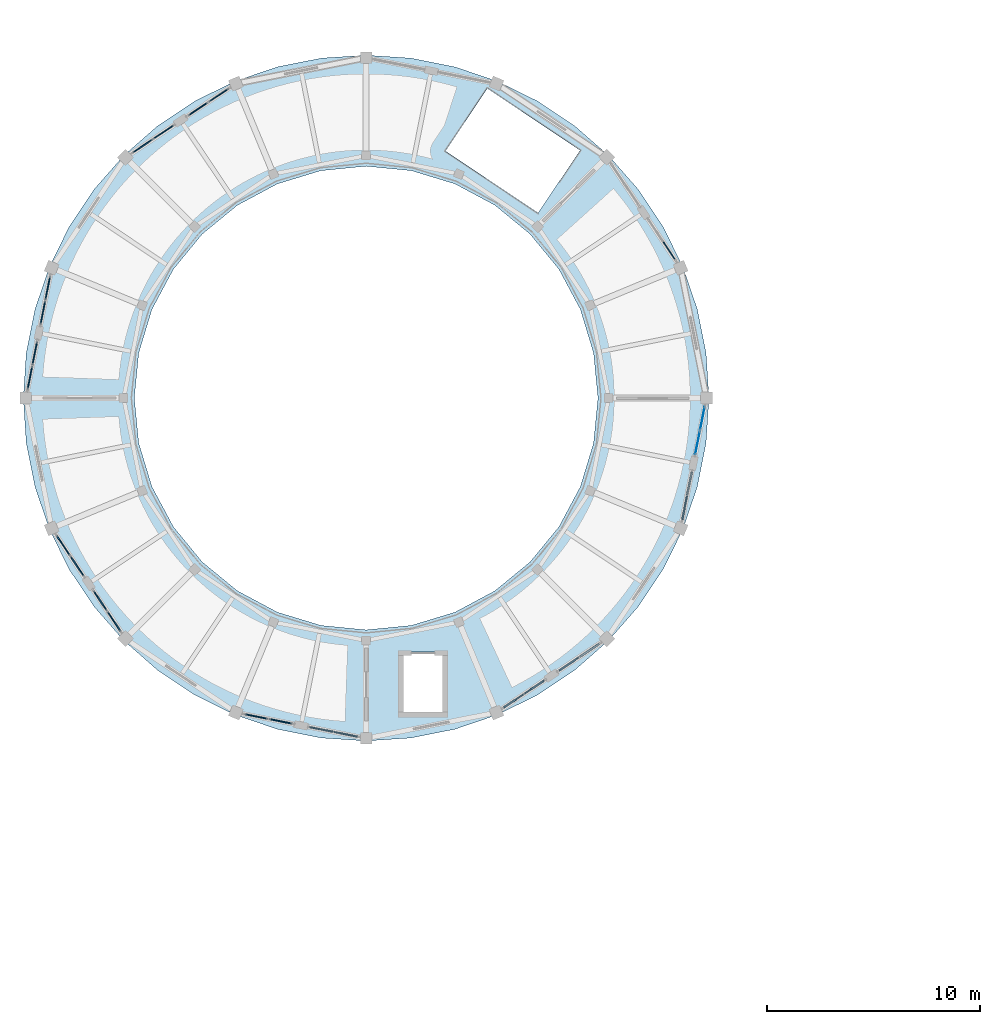
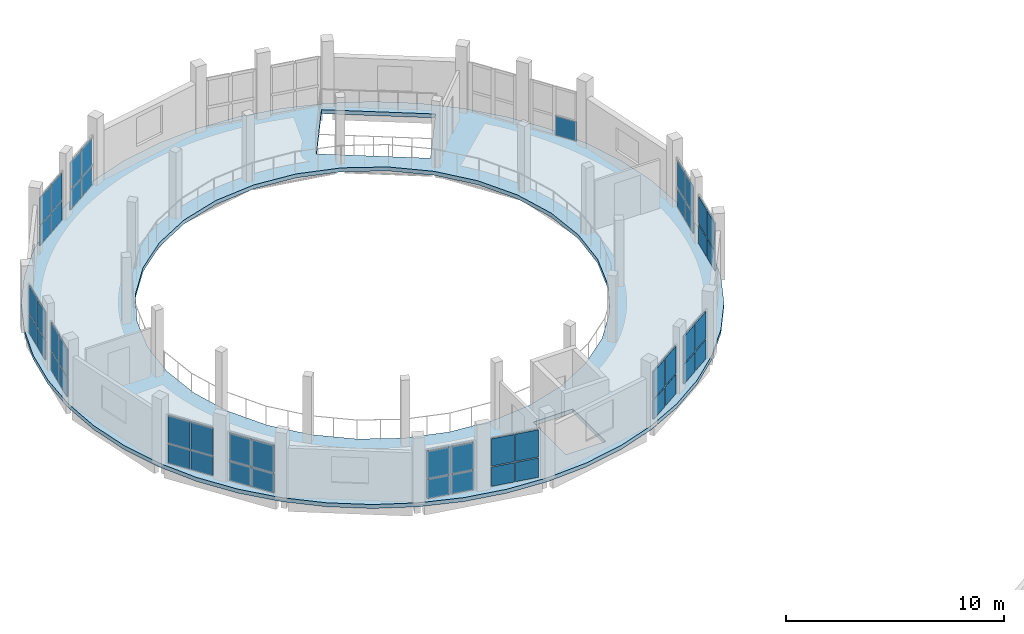
# One storey, part 50 of 77: 49 plates, 1 slab, 13 elements without a shape of their own.
"""IFC4 building model written with IfcOpenShell, lengths in metres."""

from ifc_helpers import new_model, si_unit, direction, frame, origin, origin_2d, place, context, subcontext, project, spatial, polyline, rectangle, outline, extrude, material, layer, layer_set, type_object, element, aggregate, save


model = new_model("IFC4")

# Units and contexts
model_context = context("Model", 3, precision=1e-05, world=origin(), true_north=direction((0.0, 1.0)))
body_context = subcontext(model_context, "Body", "Model", "MODEL_VIEW")
ifc_project = project(units=[si_unit("LENGTHUNIT", "METRE"), si_unit("AREAUNIT", "SQUARE_METRE"), si_unit("VOLUMEUNIT", "CUBIC_METRE"), si_unit("PLANEANGLEUNIT", "RADIAN"), si_unit("MASSUNIT", "GRAM", prefix="KILO")], contexts=[model_context])

# Site, building, storey
site_placement = place(None, origin())
site = spatial("IfcSite", under=ifc_project, at=site_placement, CompositionType="ELEMENT")
building_placement = place(site_placement, origin())
building = spatial("IfcBuilding", under=site, at=building_placement, Name="Caldaven Crescent School", CompositionType="ELEMENT")
storey_placement = place(building_placement, frame((0.0, 0.0, 4.419921875)))
storey = spatial("IfcBuildingStorey", under=building, at=storey_placement, Name="L01", CompositionType="ELEMENT", Elevation=4.419921875)

# Curtain wall, plates
ifc_material_1 = material(Name="Anodised aluminium AA 6063-T6 and low-E double glazing", Category="aluminium")
ifc_layer_1 = layer(ifc_material_1, 0.169921875)
ifc_layer_set_1 = layer_set([ifc_layer_1], Name="Anodised aluminium AA 6063-T6 and low-E double glazing")
curtain_wall_type_1 = type_object("IfcCurtainWallType", Name="CW-SYS1", PredefinedType="NOTDEFINED", material=ifc_layer_set_1)
curtain_wall_1_placement = place(storey_placement, origin())
curtain_wall_1 = element("IfcCurtainWall", 1, at=curtain_wall_1_placement, inside=storey, type_object=curtain_wall_type_1, Name="CW-L01-072", PredefinedType="NOTDEFINED")
ifc_material_2 = material(Name="Tempered low-E double glazing IGU", Category="glass")
ifc_layer_2 = layer(ifc_material_2, 0.02587890625)
ifc_layer_set_2 = layer_set([ifc_layer_2], Name="Tempered low-E double glazing IGU")
plate_type_1 = type_object("IfcPlateType", Name="PLT-CWP01", PredefinedType="CURTAIN_PANEL", material=ifc_layer_set_2)
plate_1_placement = place(storey_placement, frame((39.08154296875, 96.396484375, 0.070068359375), z_axis=(0.0, 0.0, 1.0), x_axis=(0.19509100343, 0.980785144861, 0.0)))
plate_1 = element("IfcPlate", 2, at=plate_1_placement, type_object=plate_type_1, Name="CW1 panel 1.1", PredefinedType="CURTAIN_PANEL", context=body_context, shape_type="SweptSolid", body=[
    extrude(rectangle(XDim=1.103271484375, YDim=0.02587890625, at=origin_2d()), origin(), (0.0, 0.0, 1.0), 1.06298828125),
])
plate_2_placement = place(storey_placement, frame((39.08154296875, 96.396484375, 1.203125), z_axis=(0.0, 0.0, 1.0), x_axis=(0.19509100343, 0.980785144861, 0.0)))
plate_2 = element("IfcPlate", 3, at=plate_2_placement, type_object=plate_type_1, Name="CW1 panel 1.2", PredefinedType="CURTAIN_PANEL", context=body_context, shape_type="SweptSolid", body=[
    extrude(rectangle(XDim=1.103271484375, YDim=0.02587890625, at=origin_2d()), origin(), (0.0, 0.0, 1.0), 1.507080078125),
])
plate_3_placement = place(storey_placement, frame((39.3095703125, 97.542236328125, 0.070068359375), z_axis=(0.0, 0.0, 1.0), x_axis=(0.19509100343, 0.980785144861, 0.0)))
plate_3 = element("IfcPlate", 4, at=plate_3_placement, type_object=plate_type_1, Name="CW1 panel 2.1", PredefinedType="CURTAIN_PANEL", context=body_context, shape_type="SweptSolid", body=[
    extrude(rectangle(XDim=1.103271484375, YDim=0.02587890625, at=origin_2d()), origin(), (0.0, 0.0, 1.0), 1.06298828125),
])
plate_4_placement = place(storey_placement, frame((39.3095703125, 97.542236328125, 1.203125), z_axis=(0.0, 0.0, 1.0), x_axis=(0.19509100343, 0.980785144861, 0.0)))
plate_4 = element("IfcPlate", 5, at=plate_4_placement, type_object=plate_type_1, Name="CW1 panel 2.2", PredefinedType="CURTAIN_PANEL", context=body_context, shape_type="SweptSolid", body=[
    extrude(rectangle(XDim=1.103271484375, YDim=0.02587890625, at=origin_2d()), origin(), (0.0, 0.0, 1.0), 1.507080078125),
])
aggregate(curtain_wall_1, [plate_1, plate_2, plate_3, plate_4])

# Curtain wall, plate
ifc_layer_3 = layer(ifc_material_1, 0.18994140625)
ifc_layer_set_3 = layer_set([ifc_layer_3], Name="Anodised aluminium AA 6063-T6 and low-E double glazing")
curtain_wall_type_2 = type_object("IfcCurtainWallType", Name="CW-SYS2", PredefinedType="NOTDEFINED", material=ifc_layer_set_3)
curtain_wall_2_placement = place(storey_placement, origin())
curtain_wall_2 = element("IfcCurtainWall", 6, at=curtain_wall_2_placement, inside=storey, type_object=curtain_wall_type_2, Name="CW-L01-057", PredefinedType="NOTDEFINED")
ifc_layer_4 = layer(ifc_material_2, 0.0439453125)
ifc_layer_set_4 = layer_set([ifc_layer_4], Name="Tempered low-E double glazing IGU")
plate_type_2 = type_object("IfcPlateType", Name="PLT-CWP10", PredefinedType="CURTAIN_PANEL", material=ifc_layer_set_4)
plate_5_placement = place(storey_placement, frame((37.739501953125, 105.43505859375, 0.06005859375), z_axis=(0.0, 0.0, 1.0), x_axis=(-0.555569561758, 0.831470060825, 0.0)))
plate_5 = element("IfcPlate", 7, at=plate_5_placement, type_object=plate_type_2, Name="CW2 panel 1.1", PredefinedType="CURTAIN_PANEL", context=body_context, shape_type="SweptSolid", body=[
    extrude(rectangle(XDim=1.103271484375, YDim=0.0439453125, at=origin_2d()), origin(), (0.0, 0.0, 1.0), 1.077880859375),
])
aggregate(curtain_wall_2, [plate_5])

# Curtain wall, plates
curtain_wall_3_placement = place(storey_placement, origin())
curtain_wall_3 = element("IfcCurtainWall", 8, at=curtain_wall_3_placement, inside=storey, type_object=curtain_wall_type_2, Name="CW-L01-061", PredefinedType="NOTDEFINED")
ifc_layer_5 = layer(ifc_material_2, 0.052001953125)
ifc_layer_set_5 = layer_set([ifc_layer_5], Name="Tempered low-E double glazing IGU")
plate_type_3 = type_object("IfcPlateType", Name="PLT-CWP14", PredefinedType="CURTAIN_PANEL", material=ifc_layer_set_5)
plate_6_placement = place(storey_placement, frame((16.56396484375, 112.73876953125, 0.070068359375), z_axis=(0.0, 0.0, 1.0), x_axis=(-0.831470060825, -0.555569561758, 0.0)))
plate_6 = element("IfcPlate", 9, at=plate_6_placement, type_object=plate_type_3, Name="CW2 panel 1.1", PredefinedType="CURTAIN_PANEL", context=body_context, shape_type="SweptSolid", body=[
    extrude(rectangle(XDim=1.095703125, YDim=0.052001953125, at=origin_2d()), origin(), (0.0, 0.0, 1.0), 1.06298828125),
])
plate_7_placement = place(storey_placement, frame((16.56396484375, 112.73876953125, 1.203125), z_axis=(0.0, 0.0, 1.0), x_axis=(-0.831470060825, -0.555569561758, 0.0)))
plate_7 = element("IfcPlate", 10, at=plate_7_placement, type_object=plate_type_3, Name="CW2 panel 1.2", PredefinedType="CURTAIN_PANEL", context=body_context, shape_type="SweptSolid", body=[
    extrude(rectangle(XDim=1.095703125, YDim=0.052001953125, at=origin_2d()), origin(), (0.0, 0.0, 1.0), 1.507080078125),
])
plate_8_placement = place(storey_placement, frame((15.5947265625, 112.091064453125, 0.070068359375), z_axis=(0.0, 0.0, 1.0), x_axis=(-0.831470060825, -0.555569561758, 0.0)))
plate_8 = element("IfcPlate", 11, at=plate_8_placement, type_object=plate_type_3, Name="CW2 panel 2.1", PredefinedType="CURTAIN_PANEL", context=body_context, shape_type="SweptSolid", body=[
    extrude(rectangle(XDim=1.095703125, YDim=0.052001953125, at=origin_2d()), origin(), (0.0, 0.0, 1.0), 1.06298828125),
])
plate_9_placement = place(storey_placement, frame((15.5947265625, 112.091064453125, 1.203125), z_axis=(0.0, 0.0, 1.0), x_axis=(-0.831470060825, -0.555569561758, 0.0)))
plate_9 = element("IfcPlate", 12, at=plate_9_placement, type_object=plate_type_3, Name="CW2 panel 2.2", PredefinedType="CURTAIN_PANEL", context=body_context, shape_type="SweptSolid", body=[
    extrude(rectangle(XDim=1.095703125, YDim=0.052001953125, at=origin_2d()), origin(), (0.0, 0.0, 1.0), 1.507080078125),
])
aggregate(curtain_wall_3, [plate_6, plate_7, plate_8, plate_9])

ifc_layer_6 = layer(ifc_material_1, 0.2099609375)
ifc_layer_set_6 = layer_set([ifc_layer_6], Name="Anodised aluminium AA 6063-T6 and low-E double glazing")
curtain_wall_type_3 = type_object("IfcCurtainWallType", Name="CW-SYS3", PredefinedType="NOTDEFINED", material=ifc_layer_set_6)
curtain_wall_4_placement = place(storey_placement, origin())
curtain_wall_4 = element("IfcCurtainWall", 13, at=curtain_wall_4_placement, inside=storey, type_object=curtain_wall_type_3, Name="CW-L01-062", PredefinedType="NOTDEFINED")
ifc_layer_7 = layer(ifc_material_2, 0.053955078125)
ifc_layer_set_7 = layer_set([ifc_layer_7], Name="Tempered low-E double glazing IGU")
plate_type_4 = type_object("IfcPlateType", Name="PLT-CWP15", PredefinedType="CURTAIN_PANEL", material=ifc_layer_set_7)
plate_10_placement = place(storey_placement, frame((13.970703125, 111.006103515625, 0.06005859375), z_axis=(0.0, 0.0, 1.0), x_axis=(-0.831468137234, -0.555572440609, 0.0)))
plate_10 = element("IfcPlate", 14, at=plate_10_placement, type_object=plate_type_4, Name="CW3 panel 1.1", PredefinedType="CURTAIN_PANEL", context=body_context, shape_type="SweptSolid", body=[
    extrude(rectangle(XDim=1.11083984375, YDim=0.053955078125, at=origin_2d()), origin(), (0.0, 0.0, 1.0), 1.077880859375),
])
plate_11_placement = place(storey_placement, frame((13.970703125, 111.006103515625, 1.197998046875), z_axis=(0.0, 0.0, 1.0), x_axis=(-0.831468137234, -0.555572440609, 0.0)))
plate_11 = element("IfcPlate", 15, at=plate_11_placement, type_object=plate_type_4, Name="CW3 panel 1.2", PredefinedType="CURTAIN_PANEL", context=body_context, shape_type="SweptSolid", body=[
    extrude(rectangle(XDim=1.11083984375, YDim=0.053955078125, at=origin_2d()), origin(), (0.0, 0.0, 1.0), 1.52197265625),
])
plate_12_placement = place(storey_placement, frame((12.997314453125, 110.35546875, 0.06005859375), z_axis=(0.0, 0.0, 1.0), x_axis=(-0.831468137234, -0.555572440609, 0.0)))
plate_12 = element("IfcPlate", 16, at=plate_12_placement, type_object=plate_type_4, Name="CW3 panel 2.1", PredefinedType="CURTAIN_PANEL", context=body_context, shape_type="SweptSolid", body=[
    extrude(rectangle(XDim=1.11083984375, YDim=0.053955078125, at=origin_2d()), origin(), (0.0, 0.0, 1.0), 1.077880859375),
])
plate_13_placement = place(storey_placement, frame((12.997314453125, 110.35546875, 1.197998046875), z_axis=(0.0, 0.0, 1.0), x_axis=(-0.831468137234, -0.555572440609, 0.0)))
plate_13 = element("IfcPlate", 17, at=plate_13_placement, type_object=plate_type_4, Name="CW3 panel 2.2", PredefinedType="CURTAIN_PANEL", context=body_context, shape_type="SweptSolid", body=[
    extrude(rectangle(XDim=1.11083984375, YDim=0.053955078125, at=origin_2d()), origin(), (0.0, 0.0, 1.0), 1.52197265625),
])
aggregate(curtain_wall_4, [plate_10, plate_11, plate_12, plate_13])

ifc_layer_8 = layer(ifc_material_1, 0.22998046875)
ifc_layer_set_8 = layer_set([ifc_layer_8], Name="Anodised aluminium AA 6063-T6 and low-E double glazing")
curtain_wall_type_4 = type_object("IfcCurtainWallType", Name="CW-SYS4", PredefinedType="NOTDEFINED", material=ifc_layer_set_8)
curtain_wall_5_placement = place(storey_placement, origin())
curtain_wall_5 = element("IfcCurtainWall", 18, at=curtain_wall_5_placement, inside=storey, type_object=curtain_wall_type_4, Name="CW-L01-063", PredefinedType="NOTDEFINED")
ifc_layer_9 = layer(ifc_material_2, 0.055908203125)
ifc_layer_set_9 = layer_set([ifc_layer_9], Name="Tempered low-E double glazing IGU")
plate_type_5 = type_object("IfcPlateType", Name="PLT-CWP16", PredefinedType="CURTAIN_PANEL", material=ifc_layer_set_9)
plate_14_placement = place(storey_placement, frame((8.52734375, 103.6650390625, 0.06005859375), z_axis=(0.0, 0.0, 1.0), x_axis=(-0.195086997747, -0.980785941636, 0.0)))
plate_14 = element("IfcPlate", 19, at=plate_14_placement, type_object=plate_type_5, Name="CW4 panel 1.1", PredefinedType="CURTAIN_PANEL", context=body_context, shape_type="SweptSolid", body=[
    extrude(rectangle(XDim=1.103271484375, YDim=0.055908203125, at=origin_2d()), origin(), (0.0, 0.0, 1.0), 1.077880859375),
])
plate_15_placement = place(storey_placement, frame((8.52734375, 103.6650390625, 1.197998046875), z_axis=(0.0, 0.0, 1.0), x_axis=(-0.195086997747, -0.980785941636, 0.0)))
plate_15 = element("IfcPlate", 20, at=plate_15_placement, type_object=plate_type_5, Name="CW4 panel 1.2", PredefinedType="CURTAIN_PANEL", context=body_context, shape_type="SweptSolid", body=[
    extrude(rectangle(XDim=1.103271484375, YDim=0.055908203125, at=origin_2d()), origin(), (0.0, 0.0, 1.0), 1.52197265625),
])
plate_16_placement = place(storey_placement, frame((8.299560546875, 102.519287109375, 0.06005859375), z_axis=(0.0, 0.0, 1.0), x_axis=(-0.195086997747, -0.980785941636, 0.0)))
plate_16 = element("IfcPlate", 21, at=plate_16_placement, type_object=plate_type_5, Name="CW4 panel 2.1", PredefinedType="CURTAIN_PANEL", context=body_context, shape_type="SweptSolid", body=[
    extrude(rectangle(XDim=1.103271484375, YDim=0.055908203125, at=origin_2d()), origin(), (0.0, 0.0, 1.0), 1.077880859375),
])
plate_17_placement = place(storey_placement, frame((8.299560546875, 102.519287109375, 1.197998046875), z_axis=(0.0, 0.0, 1.0), x_axis=(-0.195086997747, -0.980785941636, 0.0)))
plate_17 = element("IfcPlate", 22, at=plate_17_placement, type_object=plate_type_5, Name="CW4 panel 2.2", PredefinedType="CURTAIN_PANEL", context=body_context, shape_type="SweptSolid", body=[
    extrude(rectangle(XDim=1.103271484375, YDim=0.055908203125, at=origin_2d()), origin(), (0.0, 0.0, 1.0), 1.52197265625),
])
aggregate(curtain_wall_5, [plate_14, plate_15, plate_16, plate_17])

curtain_wall_6_placement = place(storey_placement, origin())
curtain_wall_6 = element("IfcCurtainWall", 23, at=curtain_wall_6_placement, inside=storey, type_object=curtain_wall_type_1, Name="CW-L01-064", PredefinedType="NOTDEFINED")
ifc_layer_10 = layer(ifc_material_2, 0.05810546875)
ifc_layer_set_10 = layer_set([ifc_layer_10], Name="Tempered low-E double glazing IGU")
plate_type_6 = type_object("IfcPlateType", Name="PLT-CWP17", PredefinedType="CURTAIN_PANEL", material=ifc_layer_set_10)
plate_18_placement = place(storey_placement, frame((7.918212890625, 100.602294921875, 0.06494140625), z_axis=(0.0, 0.0, 1.0), x_axis=(-0.19509100343, -0.980785144861, 0.0)))
plate_18 = element("IfcPlate", 24, at=plate_18_placement, type_object=plate_type_6, Name="CW1 panel 1.1", PredefinedType="CURTAIN_PANEL", context=body_context, shape_type="SweptSolid", body=[
    extrude(rectangle(XDim=1.095703125, YDim=0.05810546875, at=origin_2d()), origin(), (0.0, 0.0, 1.0), 1.070556640625),
])
plate_19_placement = place(storey_placement, frame((7.918212890625, 100.602294921875, 1.20068359375), z_axis=(0.0, 0.0, 1.0), x_axis=(-0.19509100343, -0.980785144861, 0.0)))
plate_19 = element("IfcPlate", 25, at=plate_19_placement, type_object=plate_type_6, Name="CW1 panel 1.2", PredefinedType="CURTAIN_PANEL", context=body_context, shape_type="SweptSolid", body=[
    extrude(rectangle(XDim=1.095703125, YDim=0.05810546875, at=origin_2d()), origin(), (0.0, 0.0, 1.0), 1.514404296875),
])
plate_20_placement = place(storey_placement, frame((7.690673828125, 99.458984375, 0.06494140625), z_axis=(0.0, 0.0, 1.0), x_axis=(-0.19509100343, -0.980785144861, 0.0)))
plate_20 = element("IfcPlate", 26, at=plate_20_placement, type_object=plate_type_6, Name="CW1 panel 2.1", PredefinedType="CURTAIN_PANEL", context=body_context, shape_type="SweptSolid", body=[
    extrude(rectangle(XDim=1.095703125, YDim=0.05810546875, at=origin_2d()), origin(), (0.0, 0.0, 1.0), 1.070556640625),
])
plate_21_placement = place(storey_placement, frame((7.690673828125, 99.458984375, 1.20068359375), z_axis=(0.0, 0.0, 1.0), x_axis=(-0.19509100343, -0.980785144861, 0.0)))
plate_21 = element("IfcPlate", 27, at=plate_21_placement, type_object=plate_type_6, Name="CW1 panel 2.2", PredefinedType="CURTAIN_PANEL", context=body_context, shape_type="SweptSolid", body=[
    extrude(rectangle(XDim=1.095703125, YDim=0.05810546875, at=origin_2d()), origin(), (0.0, 0.0, 1.0), 1.514404296875),
])
aggregate(curtain_wall_6, [plate_18, plate_19, plate_20, plate_21])

curtain_wall_7_placement = place(storey_placement, origin())
curtain_wall_7 = element("IfcCurtainWall", 28, at=curtain_wall_7_placement, inside=storey, type_object=curtain_wall_type_2, Name="CW-L01-065", PredefinedType="NOTDEFINED")
ifc_layer_11 = layer(ifc_material_2, 0.06005859375)
ifc_layer_set_11 = layer_set([ifc_layer_11], Name="Tempered low-E double glazing IGU")
plate_type_7 = type_object("IfcPlateType", Name="PLT-CWP18", PredefinedType="CURTAIN_PANEL", material=ifc_layer_set_11)
plate_22_placement = place(storey_placement, frame((9.259765625, 91.566162109375, 0.06494140625), z_axis=(0.0, 0.0, 1.0), x_axis=(0.555569561758, -0.831470060825, 0.0)))
plate_22 = element("IfcPlate", 29, at=plate_22_placement, type_object=plate_type_7, Name="CW2 panel 1.1", PredefinedType="CURTAIN_PANEL", context=body_context, shape_type="SweptSolid", body=[
    extrude(rectangle(XDim=1.11083984375, YDim=0.06005859375, at=origin_2d()), origin(), (0.0, 0.0, 1.0), 1.070556640625),
])
plate_23_placement = place(storey_placement, frame((9.259765625, 91.566162109375, 1.20068359375), z_axis=(0.0, 0.0, 1.0), x_axis=(0.555569561758, -0.831470060825, 0.0)))
plate_23 = element("IfcPlate", 30, at=plate_23_placement, type_object=plate_type_7, Name="CW2 panel 1.2", PredefinedType="CURTAIN_PANEL", context=body_context, shape_type="SweptSolid", body=[
    extrude(rectangle(XDim=1.11083984375, YDim=0.06005859375, at=origin_2d()), origin(), (0.0, 0.0, 1.0), 1.514404296875),
])
plate_24_placement = place(storey_placement, frame((9.91015625, 90.5927734375, 0.06494140625), z_axis=(0.0, 0.0, 1.0), x_axis=(0.555569561758, -0.831470060825, 0.0)))
plate_24 = element("IfcPlate", 31, at=plate_24_placement, type_object=plate_type_7, Name="CW2 panel 2.1", PredefinedType="CURTAIN_PANEL", context=body_context, shape_type="SweptSolid", body=[
    extrude(rectangle(XDim=1.11083984375, YDim=0.06005859375, at=origin_2d()), origin(), (0.0, 0.0, 1.0), 1.070556640625),
])
plate_25_placement = place(storey_placement, frame((9.91015625, 90.5927734375, 1.20068359375), z_axis=(0.0, 0.0, 1.0), x_axis=(0.555569561758, -0.831470060825, 0.0)))
plate_25 = element("IfcPlate", 32, at=plate_25_placement, type_object=plate_type_7, Name="CW2 panel 2.2", PredefinedType="CURTAIN_PANEL", context=body_context, shape_type="SweptSolid", body=[
    extrude(rectangle(XDim=1.11083984375, YDim=0.06005859375, at=origin_2d()), origin(), (0.0, 0.0, 1.0), 1.514404296875),
])
aggregate(curtain_wall_7, [plate_22, plate_23, plate_24, plate_25])

curtain_wall_8_placement = place(storey_placement, origin())
curtain_wall_8 = element("IfcCurtainWall", 33, at=curtain_wall_8_placement, inside=storey, type_object=curtain_wall_type_3, Name="CW-L01-066", PredefinedType="NOTDEFINED")
ifc_material_3 = material(Name="Insulated bronze aluminium spandrel panel", Category="aluminium")
ifc_layer_12 = layer(ifc_material_3, 0.06201171875)
ifc_layer_set_12 = layer_set([ifc_layer_12], Name="Insulated bronze aluminium spandrel panel")
plate_type_8 = type_object("IfcPlateType", Name="PLT-CWP19", PredefinedType="CURTAIN_PANEL", material=ifc_layer_set_12)
plate_26_placement = place(storey_placement, frame((10.99462890625, 88.9697265625, 0.070068359375), z_axis=(0.0, 0.0, 1.0), x_axis=(0.555572440609, -0.831468137234, 0.0)))
plate_26 = element("IfcPlate", 34, at=plate_26_placement, type_object=plate_type_8, Name="CW3 panel 1.1", PredefinedType="CURTAIN_PANEL", context=body_context, shape_type="SweptSolid", body=[
    extrude(rectangle(XDim=1.103271484375, YDim=0.06201171875, at=origin_2d()), origin(), (0.0, 0.0, 1.0), 1.06298828125),
])
plate_27_placement = place(storey_placement, frame((10.99462890625, 88.9697265625, 1.203125), z_axis=(0.0, 0.0, 1.0), x_axis=(0.555572440609, -0.831468137234, 0.0)))
plate_27 = element("IfcPlate", 35, at=plate_27_placement, type_object=plate_type_8, Name="CW3 panel 1.2", PredefinedType="CURTAIN_PANEL", context=body_context, shape_type="SweptSolid", body=[
    extrude(rectangle(XDim=1.103271484375, YDim=0.06201171875, at=origin_2d()), origin(), (0.0, 0.0, 1.0), 1.507080078125),
])
plate_28_placement = place(storey_placement, frame((11.643798828125, 87.998291015625, 0.070068359375), z_axis=(0.0, 0.0, 1.0), x_axis=(0.555572440609, -0.831468137234, 0.0)))
plate_28 = element("IfcPlate", 36, at=plate_28_placement, type_object=plate_type_8, Name="CW3 panel 2.1", PredefinedType="CURTAIN_PANEL", context=body_context, shape_type="SweptSolid", body=[
    extrude(rectangle(XDim=1.103271484375, YDim=0.06201171875, at=origin_2d()), origin(), (0.0, 0.0, 1.0), 1.06298828125),
])
plate_29_placement = place(storey_placement, frame((11.643798828125, 87.998291015625, 1.203125), z_axis=(0.0, 0.0, 1.0), x_axis=(0.555572440609, -0.831468137234, 0.0)))
plate_29 = element("IfcPlate", 37, at=plate_29_placement, type_object=plate_type_8, Name="CW3 panel 2.2", PredefinedType="CURTAIN_PANEL", context=body_context, shape_type="SweptSolid", body=[
    extrude(rectangle(XDim=1.103271484375, YDim=0.06201171875, at=origin_2d()), origin(), (0.0, 0.0, 1.0), 1.507080078125),
])
aggregate(curtain_wall_8, [plate_26, plate_27, plate_28, plate_29])

curtain_wall_9_placement = place(storey_placement, origin())
curtain_wall_9 = element("IfcCurtainWall", 38, at=curtain_wall_9_placement, inside=storey, type_object=curtain_wall_type_4, Name="CW-L01-067", PredefinedType="NOTDEFINED")
ifc_layer_13 = layer(ifc_material_3, 0.06396484375)
ifc_layer_set_13 = layer_set([ifc_layer_13], Name="Insulated bronze aluminium spandrel panel")
plate_type_9 = type_object("IfcPlateType", Name="PLT-CWP20", PredefinedType="CURTAIN_PANEL", material=ifc_layer_set_13)
plate_30_placement = place(storey_placement, frame((18.336181640625, 83.527099609375, 0.070068359375), z_axis=(0.0, 0.0, 1.0), x_axis=(0.980785941636, -0.195086997747, 0.0)))
plate_30 = element("IfcPlate", 39, at=plate_30_placement, type_object=plate_type_9, Name="CW4 panel 1.1", PredefinedType="CURTAIN_PANEL", context=body_context, shape_type="SweptSolid", body=[
    extrude(rectangle(XDim=1.095703125, YDim=0.06396484375, at=origin_2d()), origin(), (0.0, 0.0, 1.0), 1.06298828125),
])
plate_31_placement = place(storey_placement, frame((18.336181640625, 83.527099609375, 1.203125), z_axis=(0.0, 0.0, 1.0), x_axis=(0.980785941636, -0.195086997747, 0.0)))
plate_31 = element("IfcPlate", 40, at=plate_31_placement, type_object=plate_type_9, Name="CW4 panel 1.2", PredefinedType="CURTAIN_PANEL", context=body_context, shape_type="SweptSolid", body=[
    extrude(rectangle(XDim=1.095703125, YDim=0.06396484375, at=origin_2d()), origin(), (0.0, 0.0, 1.0), 1.507080078125),
])
plate_32_placement = place(storey_placement, frame((19.4794921875, 83.2998046875, 0.070068359375), z_axis=(0.0, 0.0, 1.0), x_axis=(0.980785941636, -0.195086997747, 0.0)))
plate_32 = element("IfcPlate", 41, at=plate_32_placement, type_object=plate_type_9, Name="CW4 panel 2.1", PredefinedType="CURTAIN_PANEL", context=body_context, shape_type="SweptSolid", body=[
    extrude(rectangle(XDim=1.095703125, YDim=0.06396484375, at=origin_2d()), origin(), (0.0, 0.0, 1.0), 1.06298828125),
])
plate_33_placement = place(storey_placement, frame((19.4794921875, 83.2998046875, 1.203125), z_axis=(0.0, 0.0, 1.0), x_axis=(0.980785941636, -0.195086997747, 0.0)))
plate_33 = element("IfcPlate", 42, at=plate_33_placement, type_object=plate_type_9, Name="CW4 panel 2.2", PredefinedType="CURTAIN_PANEL", context=body_context, shape_type="SweptSolid", body=[
    extrude(rectangle(XDim=1.095703125, YDim=0.06396484375, at=origin_2d()), origin(), (0.0, 0.0, 1.0), 1.507080078125),
])
aggregate(curtain_wall_9, [plate_30, plate_31, plate_32, plate_33])

curtain_wall_10_placement = place(storey_placement, origin())
curtain_wall_10 = element("IfcCurtainWall", 43, at=curtain_wall_10_placement, inside=storey, type_object=curtain_wall_type_1, Name="CW-L01-068", PredefinedType="NOTDEFINED")
ifc_layer_14 = layer(ifc_material_3, 0.06591796875)
ifc_layer_set_14 = layer_set([ifc_layer_14], Name="Insulated bronze aluminium spandrel panel")
plate_type_10 = type_object("IfcPlateType", Name="PLT-CWP21", PredefinedType="CURTAIN_PANEL", material=ifc_layer_set_14)
plate_34_placement = place(storey_placement, frame((21.395263671875, 82.918701171875, 0.06005859375), z_axis=(0.0, 0.0, 1.0), x_axis=(0.980785144861, -0.19509100343, 0.0)))
plate_34 = element("IfcPlate", 44, at=plate_34_placement, type_object=plate_type_10, Name="CW1 panel 1.1", PredefinedType="CURTAIN_PANEL", context=body_context, shape_type="SweptSolid", body=[
    extrude(rectangle(XDim=1.11083984375, YDim=0.06591796875, at=origin_2d()), origin(), (0.0, 0.0, 1.0), 1.077880859375),
])
plate_35_placement = place(storey_placement, frame((21.395263671875, 82.918701171875, 1.197998046875), z_axis=(0.0, 0.0, 1.0), x_axis=(0.980785144861, -0.19509100343, 0.0)))
plate_35 = element("IfcPlate", 45, at=plate_35_placement, type_object=plate_type_10, Name="CW1 panel 1.2", PredefinedType="CURTAIN_PANEL", context=body_context, shape_type="SweptSolid", body=[
    extrude(rectangle(XDim=1.11083984375, YDim=0.06591796875, at=origin_2d()), origin(), (0.0, 0.0, 1.0), 1.52197265625),
])
plate_36_placement = place(storey_placement, frame((22.54345703125, 82.690185546875, 0.06005859375), z_axis=(0.0, 0.0, 1.0), x_axis=(0.980785144861, -0.19509100343, 0.0)))
plate_36 = element("IfcPlate", 46, at=plate_36_placement, type_object=plate_type_10, Name="CW1 panel 2.1", PredefinedType="CURTAIN_PANEL", context=body_context, shape_type="SweptSolid", body=[
    extrude(rectangle(XDim=1.11083984375, YDim=0.06591796875, at=origin_2d()), origin(), (0.0, 0.0, 1.0), 1.077880859375),
])
plate_37_placement = place(storey_placement, frame((22.54345703125, 82.690185546875, 1.197998046875), z_axis=(0.0, 0.0, 1.0), x_axis=(0.980785144861, -0.19509100343, 0.0)))
plate_37 = element("IfcPlate", 47, at=plate_37_placement, type_object=plate_type_10, Name="CW1 panel 2.2", PredefinedType="CURTAIN_PANEL", context=body_context, shape_type="SweptSolid", body=[
    extrude(rectangle(XDim=1.11083984375, YDim=0.06591796875, at=origin_2d()), origin(), (0.0, 0.0, 1.0), 1.52197265625),
])
aggregate(curtain_wall_10, [plate_34, plate_35, plate_36, plate_37])

curtain_wall_11_placement = place(storey_placement, origin())
curtain_wall_11 = element("IfcCurtainWall", 48, at=curtain_wall_11_placement, inside=storey, type_object=curtain_wall_type_2, Name="CW-L01-069", PredefinedType="NOTDEFINED")
ifc_layer_15 = layer(ifc_material_3, 0.068115234375)
ifc_layer_set_15 = layer_set([ifc_layer_15], Name="Insulated bronze aluminium spandrel panel")
plate_type_11 = type_object("IfcPlateType", Name="PLT-CWP22", PredefinedType="CURTAIN_PANEL", material=ifc_layer_set_15)
plate_38_placement = place(storey_placement, frame((30.43505859375, 84.260498046875, 0.06005859375), z_axis=(0.0, 0.0, 1.0), x_axis=(0.831470060825, 0.555569561758, 0.0)))
plate_38 = element("IfcPlate", 49, at=plate_38_placement, type_object=plate_type_11, Name="CW2 panel 1.1", PredefinedType="CURTAIN_PANEL", context=body_context, shape_type="SweptSolid", body=[
    extrude(rectangle(XDim=1.103271484375, YDim=0.068115234375, at=origin_2d()), origin(), (0.0, 0.0, 1.0), 1.077880859375),
])
plate_39_placement = place(storey_placement, frame((30.43505859375, 84.260498046875, 1.197998046875), z_axis=(0.0, 0.0, 1.0), x_axis=(0.831470060825, 0.555569561758, 0.0)))
plate_39 = element("IfcPlate", 50, at=plate_39_placement, type_object=plate_type_11, Name="CW2 panel 1.2", PredefinedType="CURTAIN_PANEL", context=body_context, shape_type="SweptSolid", body=[
    extrude(rectangle(XDim=1.103271484375, YDim=0.068115234375, at=origin_2d()), origin(), (0.0, 0.0, 1.0), 1.52197265625),
])
plate_40_placement = place(storey_placement, frame((31.40625, 84.909423828125, 0.06005859375), z_axis=(0.0, 0.0, 1.0), x_axis=(0.831470060825, 0.555569561758, 0.0)))
plate_40 = element("IfcPlate", 51, at=plate_40_placement, type_object=plate_type_11, Name="CW2 panel 2.1", PredefinedType="CURTAIN_PANEL", context=body_context, shape_type="SweptSolid", body=[
    extrude(rectangle(XDim=1.103271484375, YDim=0.068115234375, at=origin_2d()), origin(), (0.0, 0.0, 1.0), 1.077880859375),
])
plate_41_placement = place(storey_placement, frame((31.40625, 84.909423828125, 1.197998046875), z_axis=(0.0, 0.0, 1.0), x_axis=(0.831470060825, 0.555569561758, 0.0)))
plate_41 = element("IfcPlate", 52, at=plate_41_placement, type_object=plate_type_11, Name="CW2 panel 2.2", PredefinedType="CURTAIN_PANEL", context=body_context, shape_type="SweptSolid", body=[
    extrude(rectangle(XDim=1.103271484375, YDim=0.068115234375, at=origin_2d()), origin(), (0.0, 0.0, 1.0), 1.52197265625),
])
aggregate(curtain_wall_11, [plate_38, plate_39, plate_40, plate_41])

curtain_wall_12_placement = place(storey_placement, origin())
curtain_wall_12 = element("IfcCurtainWall", 53, at=curtain_wall_12_placement, inside=storey, type_object=curtain_wall_type_3, Name="CW-L01-070", PredefinedType="NOTDEFINED")
ifc_layer_16 = layer(ifc_material_3, 0.070068359375)
ifc_layer_set_16 = layer_set([ifc_layer_16], Name="Insulated bronze aluminium spandrel panel")
plate_type_12 = type_object("IfcPlateType", Name="PLT-CWP23", PredefinedType="CURTAIN_PANEL", material=ifc_layer_set_16)
plate_42_placement = place(storey_placement, frame((33.031494140625, 85.995361328125, 0.06494140625), z_axis=(0.0, 0.0, 1.0), x_axis=(0.831468137234, 0.555572440609, 0.0)))
plate_42 = element("IfcPlate", 54, at=plate_42_placement, type_object=plate_type_12, Name="CW3 panel 1.1", PredefinedType="CURTAIN_PANEL", context=body_context, shape_type="SweptSolid", body=[
    extrude(rectangle(XDim=1.095703125, YDim=0.070068359375, at=origin_2d()), origin(), (0.0, 0.0, 1.0), 1.070556640625),
])
plate_43_placement = place(storey_placement, frame((33.031494140625, 85.995361328125, 1.20068359375), z_axis=(0.0, 0.0, 1.0), x_axis=(0.831468137234, 0.555572440609, 0.0)))
plate_43 = element("IfcPlate", 55, at=plate_43_placement, type_object=plate_type_12, Name="CW3 panel 1.2", PredefinedType="CURTAIN_PANEL", context=body_context, shape_type="SweptSolid", body=[
    extrude(rectangle(XDim=1.095703125, YDim=0.070068359375, at=origin_2d()), origin(), (0.0, 0.0, 1.0), 1.514404296875),
])
plate_44_placement = place(storey_placement, frame((34.000732421875, 86.64306640625, 0.06494140625), z_axis=(0.0, 0.0, 1.0), x_axis=(0.831468137234, 0.555572440609, 0.0)))
plate_44 = element("IfcPlate", 56, at=plate_44_placement, type_object=plate_type_12, Name="CW3 panel 2.1", PredefinedType="CURTAIN_PANEL", context=body_context, shape_type="SweptSolid", body=[
    extrude(rectangle(XDim=1.095703125, YDim=0.070068359375, at=origin_2d()), origin(), (0.0, 0.0, 1.0), 1.070556640625),
])
plate_45_placement = place(storey_placement, frame((34.000732421875, 86.64306640625, 1.20068359375), z_axis=(0.0, 0.0, 1.0), x_axis=(0.831468137234, 0.555572440609, 0.0)))
plate_45 = element("IfcPlate", 57, at=plate_45_placement, type_object=plate_type_12, Name="CW3 panel 2.2", PredefinedType="CURTAIN_PANEL", context=body_context, shape_type="SweptSolid", body=[
    extrude(rectangle(XDim=1.095703125, YDim=0.070068359375, at=origin_2d()), origin(), (0.0, 0.0, 1.0), 1.514404296875),
])
aggregate(curtain_wall_12, [plate_42, plate_43, plate_44, plate_45])

curtain_wall_13_placement = place(storey_placement, origin())
curtain_wall_13 = element("IfcCurtainWall", 58, at=curtain_wall_13_placement, inside=storey, type_object=curtain_wall_type_4, Name="CW-L01-071", PredefinedType="NOTDEFINED")
ifc_layer_17 = layer(ifc_material_3, 0.072021484375)
ifc_layer_set_17 = layer_set([ifc_layer_17], Name="Insulated bronze aluminium spandrel panel")
plate_type_13 = type_object("IfcPlateType", Name="PLT-CWP24", PredefinedType="CURTAIN_PANEL", material=ifc_layer_set_17)
plate_46_placement = place(storey_placement, frame((38.472412109375, 93.333740234375, 0.06494140625), z_axis=(0.0, 0.0, 1.0), x_axis=(0.195086997747, 0.980785941636, 0.0)))
plate_46 = element("IfcPlate", 59, at=plate_46_placement, type_object=plate_type_13, Name="CW4 panel 1.1", PredefinedType="CURTAIN_PANEL", context=body_context, shape_type="SweptSolid", body=[
    extrude(rectangle(XDim=1.11083984375, YDim=0.072021484375, at=origin_2d()), origin(), (0.0, 0.0, 1.0), 1.070556640625),
])
plate_47_placement = place(storey_placement, frame((38.472412109375, 93.333740234375, 1.20068359375), z_axis=(0.0, 0.0, 1.0), x_axis=(0.195086997747, 0.980785941636, 0.0)))
plate_47 = element("IfcPlate", 60, at=plate_47_placement, type_object=plate_type_13, Name="CW4 panel 1.2", PredefinedType="CURTAIN_PANEL", context=body_context, shape_type="SweptSolid", body=[
    extrude(rectangle(XDim=1.11083984375, YDim=0.072021484375, at=origin_2d()), origin(), (0.0, 0.0, 1.0), 1.514404296875),
])
plate_48_placement = place(storey_placement, frame((38.70068359375, 94.48193359375, 0.06494140625), z_axis=(0.0, 0.0, 1.0), x_axis=(0.195086997747, 0.980785941636, 0.0)))
plate_48 = element("IfcPlate", 61, at=plate_48_placement, type_object=plate_type_13, Name="CW4 panel 2.1", PredefinedType="CURTAIN_PANEL", context=body_context, shape_type="SweptSolid", body=[
    extrude(rectangle(XDim=1.11083984375, YDim=0.072021484375, at=origin_2d()), origin(), (0.0, 0.0, 1.0), 1.070556640625),
])
plate_49_placement = place(storey_placement, frame((38.70068359375, 94.48193359375, 1.20068359375), z_axis=(0.0, 0.0, 1.0), x_axis=(0.195086997747, 0.980785941636, 0.0)))
plate_49 = element("IfcPlate", 62, at=plate_49_placement, type_object=plate_type_13, Name="CW4 panel 2.2", PredefinedType="CURTAIN_PANEL", context=body_context, shape_type="SweptSolid", body=[
    extrude(rectangle(XDim=1.11083984375, YDim=0.072021484375, at=origin_2d()), origin(), (0.0, 0.0, 1.0), 1.514404296875),
])
aggregate(curtain_wall_13, [plate_46, plate_47, plate_48, plate_49])

# Slab
ifc_material_4 = material(Name="Cross-laminated timber CLT C24", Category="wood")
ifc_layer_18 = layer(ifc_material_4, 0.219970703125)
ifc_layer_set_18 = layer_set([ifc_layer_18], Name="Cross-laminated timber CLT C24")
slab_type = type_object("IfcSlabType", Name="SLB-FS2", PredefinedType="FLOOR", material=ifc_layer_set_18)
slab_placement = place(storey_placement, frame((0.0, 0.0, -0.219970703125)))
element("IfcSlab", 63, at=slab_placement, inside=storey, type_object=slab_type, Name="SLB-V2-L01", PredefinedType="FLOOR", context=body_context, shape_type="SweptSolid", body=[
    extrude(outline(polyline([(39.6201171875, 98.5), (39.482177734375, 100.60400390625), (39.07080078125, 102.672119140625), (38.392822265625, 104.6689453125), (37.46044921875, 106.56005859375), (36.288818359375, 108.313232421875), (34.898681640625, 109.898681640625), (33.313232421875, 111.288818359375), (31.56005859375, 112.46044921875), (29.6689453125, 113.392822265625), (27.672119140625, 114.07080078125), (25.60400390625, 114.482177734375), (23.5, 114.6201171875), (21.39599609375, 114.482177734375), (19.327880859375, 114.07080078125), (17.3310546875, 113.392822265625), (15.43994140625, 112.46044921875), (13.686767578125, 111.288818359375), (12.101318359375, 109.898681640625), (10.711181640625, 108.313232421875), (9.53955078125, 106.56005859375), (8.607177734375, 104.6689453125), (7.92919921875, 102.672119140625), (7.517822265625, 100.60400390625), (7.3798828125, 98.5), (7.517822265625, 96.39599609375), (7.92919921875, 94.327880859375), (8.607177734375, 92.3310546875), (9.53955078125, 90.43994140625), (10.711181640625, 88.686767578125), (12.101318359375, 87.101318359375), (13.686767578125, 85.711181640625), (15.43994140625, 84.53955078125), (17.3310546875, 83.607177734375), (19.327880859375, 82.92919921875), (21.39599609375, 82.517822265625), (23.5, 82.3798828125), (25.60400390625, 82.517822265625), (27.672119140625, 82.92919921875), (29.6689453125, 83.607177734375), (31.56005859375, 84.53955078125), (33.313232421875, 85.711181640625), (34.898681640625, 87.101318359375), (36.288818359375, 88.686767578125), (37.46044921875, 90.43994140625), (38.392822265625, 92.3310546875), (39.07080078125, 94.327880859375), (39.482177734375, 96.39599609375), (39.6201171875, 98.5)]), holes=[polyline([(34.190673828125, 96.37353515625), (33.5703125, 94.328857421875), (32.56298828125, 92.4443359375), (31.20751953125, 90.79248046875), (29.5556640625, 89.43701171875), (27.671142578125, 88.4296875), (25.62646484375, 87.809326171875), (23.5, 87.60009765625), (21.37353515625, 87.809326171875), (19.328857421875, 88.4296875), (17.4443359375, 89.43701171875), (15.79248046875, 90.79248046875), (14.43701171875, 92.4443359375), (13.4296875, 94.328857421875), (12.809326171875, 96.37353515625), (12.60009765625, 98.5), (12.809326171875, 100.62646484375), (13.4296875, 102.671142578125), (14.43701171875, 104.5556640625), (15.79248046875, 106.20751953125), (17.4443359375, 107.56298828125), (19.328857421875, 108.5703125), (21.37353515625, 109.190673828125), (23.5, 109.39990234375), (25.62646484375, 109.190673828125), (27.671142578125, 108.5703125), (29.5556640625, 107.56298828125), (31.20751953125, 106.20751953125), (32.56298828125, 104.5556640625), (33.5703125, 102.671142578125), (34.190673828125, 100.62646484375), (34.39990234375, 98.5), (34.190673828125, 96.37353515625)]), polyline([(25.122802734375, 83.563232421875), (25.122802734375, 86.563232421875), (27.22265625, 86.563232421875), (27.22265625, 83.563232421875), (25.122802734375, 83.563232421875)]), polyline([(33.556640625, 110.1455078125), (31.590087890625, 107.201904296875), (27.2314453125, 110.1142578125), (29.1982421875, 113.0576171875), (33.556640625, 110.1455078125)])]), origin(), (0.0, 0.0, 1.0), 0.219970703125),
])

save(model, "model.ifc")
